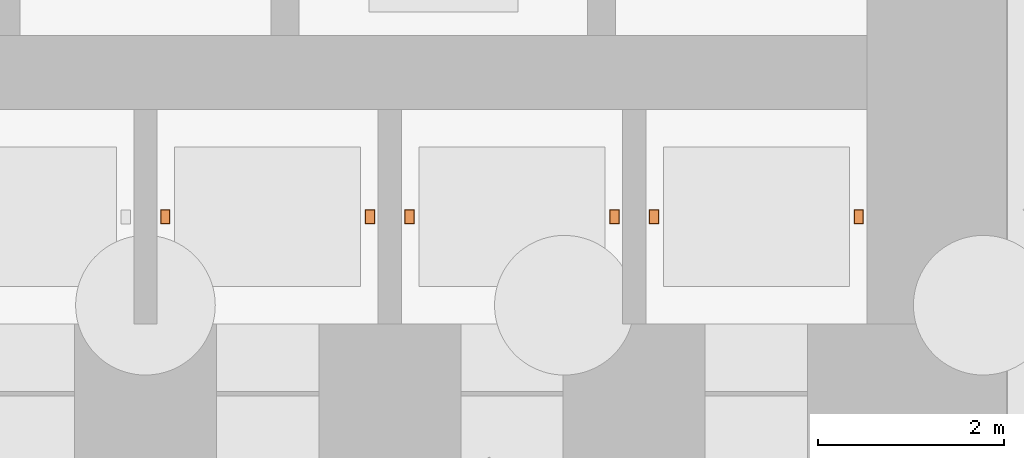
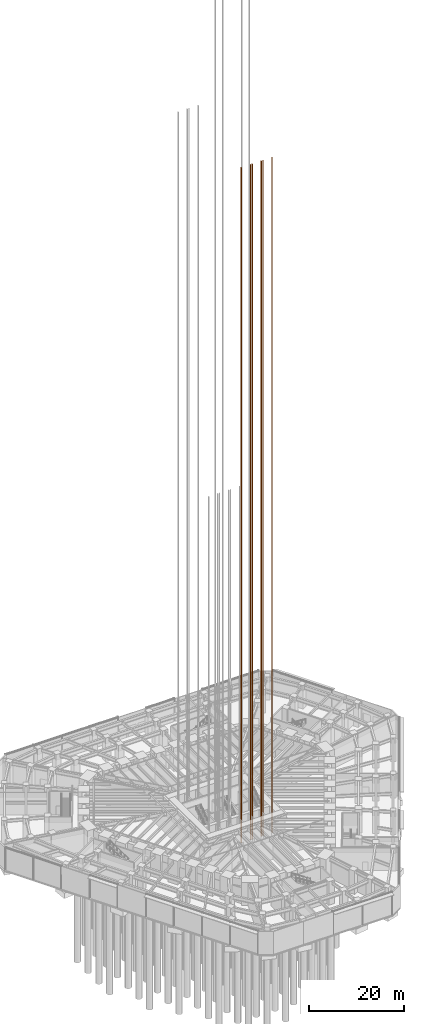
# One storey, part 32 of 34: 3 proxies.
"""IFC4 building model written with IfcOpenShell, lengths in metres."""

from ifc_helpers import new_model, si_unit, direction, frame, origin, origin_2d, place, context, subcontext, project, spatial, rectangle, extrude, material, type_object, element, save


model = new_model("IFC4")

# Units and contexts
model_context = context("Model", 3, precision=1e-05, world=origin(), true_north=direction((0.0, 1.0)))
body_context = subcontext(model_context, "Body", "Model", "MODEL_VIEW")
ifc_project = project(units=[si_unit("LENGTHUNIT", "METRE"), si_unit("AREAUNIT", "SQUARE_METRE"), si_unit("VOLUMEUNIT", "CUBIC_METRE"), si_unit("PLANEANGLEUNIT", "RADIAN"), si_unit("MASSUNIT", "GRAM", prefix="KILO")], contexts=[model_context])

# Site, building, storey
site_placement = place(None, origin())
site = spatial("IfcSite", under=ifc_project, at=site_placement, CompositionType="ELEMENT")
building_placement = place(site_placement, origin())
building = spatial("IfcBuilding", under=site, at=building_placement, Name="Sandreach Pilgrim Tower", CompositionType="ELEMENT")
storey_placement = place(building_placement, origin())
storey = spatial("IfcBuildingStorey", under=building, at=storey_placement, Name="L00", CompositionType="ELEMENT", Elevation=0.0)

# Proxies
ifc_material = material(Name="Steel guide rail", Category="steel")
building_element_proxy_type = type_object("IfcBuildingElementProxyType", Name="Lift guide rails", PredefinedType="NOTDEFINED", material=ifc_material)
for number, where, z_axis, x_axis, name in (
    (1, (1.3125, -8.050048828125, 0.0), (0.0, 0.0, 1.0), (1.0, 0.0, 0.0), "Guide rails Z2A"),
    (2, (3.9375, -8.050048828125, 0.0), (0.0, 0.0, 1.0), (1.0, 0.0, 0.0), "Guide rails Z2B"),
    (3, (6.5625, -8.050048828125, 0.0), (0.0, 0.0, 1.0), (1.0, 0.0, 0.0), "Guide rails Z2C"),
):
    element("IfcBuildingElementProxy", number, at=place(storey_placement, frame(where, z_axis=z_axis, x_axis=x_axis)), inside=storey, type_object=building_element_proxy_type, Name=name, PredefinedType="NOTDEFINED", context=body_context, shape_type="SweptSolid", body=[
        extrude(rectangle(XDim=0.10009765625, YDim=0.14990234375, at=origin_2d()), frame((-1.10009765625, 0.0, 0.0)), (0.0, 0.0, 1.0), 172.60009765625),
        extrude(rectangle(XDim=0.10009765625, YDim=0.14990234375, at=origin_2d()), frame((1.10009765625, 0.0, 0.0)), (0.0, 0.0, 1.0), 172.60009765625),
    ])

save(model, "model.ifc")
